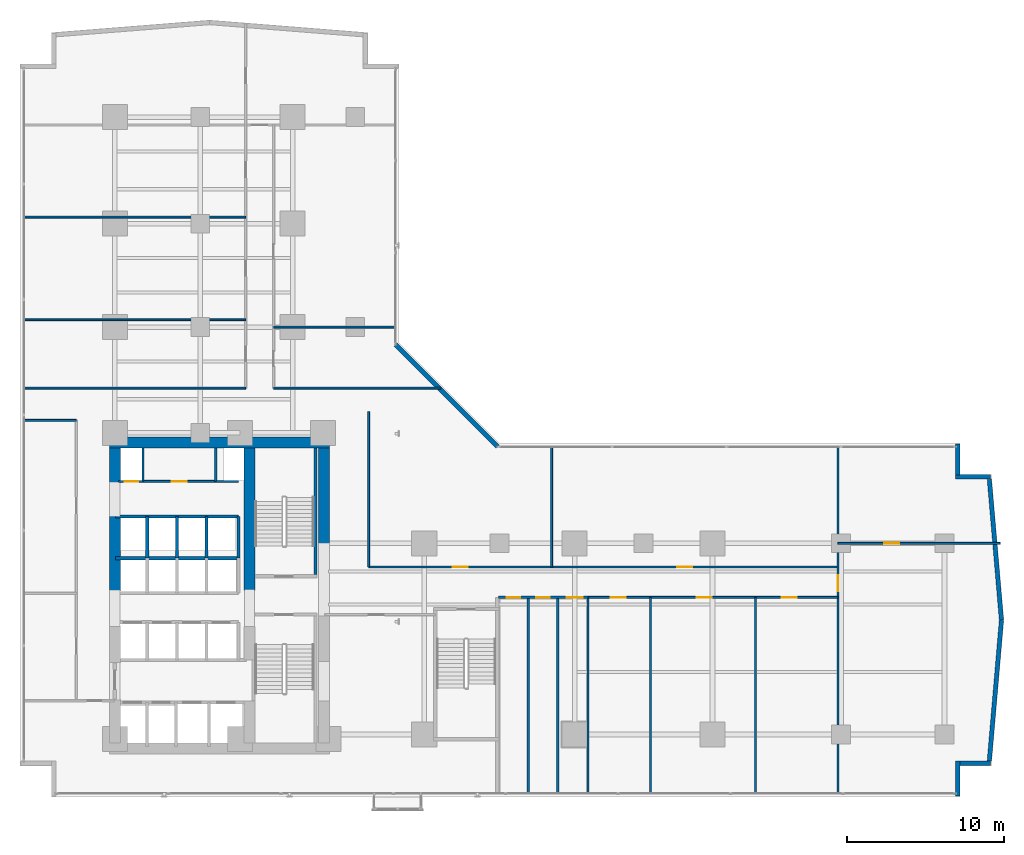
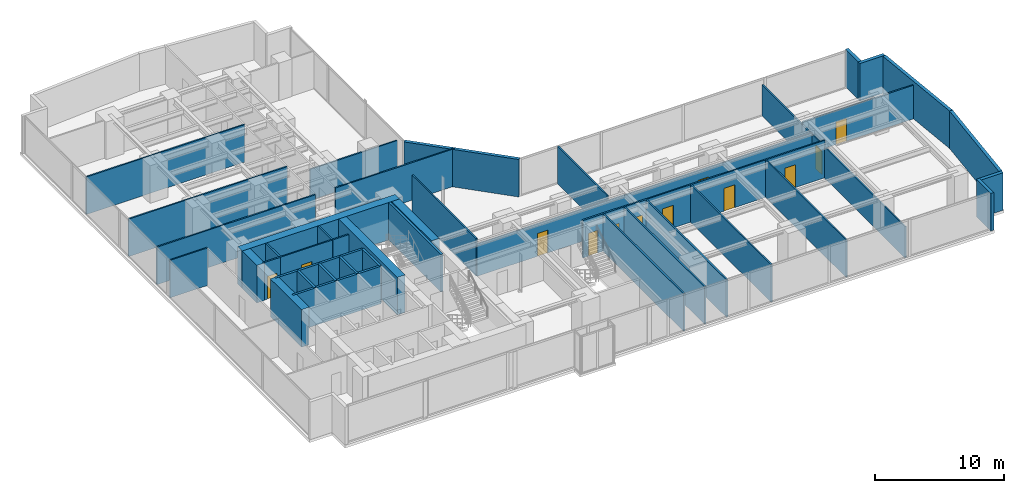
# One storey, part 23 of 27: 42 walls, 12 doors, 12 openings.
"""IFC4 building model written with IfcOpenShell, lengths in metres."""

from ifc_helpers import new_model, si_unit, direction, frame, frame_2d, origin, place, context, subcontext, project, spatial, rectangle, extrude, material, layer, layer_set, type_object, element, fill, save


model = new_model("IFC4")

# Units and contexts
model_context = context("Model", 3, precision=1e-05, world=origin(), true_north=direction((0.0, 1.0)))
body_context = subcontext(model_context, "Body", "Model", "MODEL_VIEW")
ifc_project = project(units=[si_unit("LENGTHUNIT", "METRE"), si_unit("AREAUNIT", "SQUARE_METRE"), si_unit("VOLUMEUNIT", "CUBIC_METRE"), si_unit("PLANEANGLEUNIT", "RADIAN"), si_unit("MASSUNIT", "GRAM", prefix="KILO")], contexts=[model_context])

# Site, building, storey
site_placement = place(None, origin())
site = spatial("IfcSite", under=ifc_project, at=site_placement, CompositionType="ELEMENT")
building_placement = place(site_placement, origin())
building = spatial("IfcBuilding", under=site, at=building_placement, Name="Kolvaren Waterfront Exchange", CompositionType="ELEMENT")
storey_placement = place(building_placement, frame((0.0, 0.0, 60.0)))
storey = spatial("IfcBuildingStorey", under=building, at=storey_placement, Name="L15", CompositionType="ELEMENT", Elevation=60.0)

# Walls
ifc_material_1 = material(Name="Precast concrete C40/50", Category="concrete")
ifc_layer_1 = layer(ifc_material_1, 0.280029296875, Name="Precast concrete C40/50")
ifc_layer_set_1 = layer_set([ifc_layer_1], Name="Precast concrete C40/50")
wall_type_1 = type_object("IfcWallType", Name="ARC-EXT-TERR-280", PredefinedType="SOLIDWALL", material=ifc_layer_set_1)
wall_1_placement = place(storey_placement, frame((61.239990234375, 1.260009765625, 0.0), z_axis=(0.0, 0.0, 1.0), x_axis=(0.0, 1.0, 0.0)))
element("IfcWall", 1, at=wall_1_placement, inside=storey, type_object=wall_type_1, Name="L15 notched corner spandrel pier SE-A", PredefinedType="SOLIDWALL", context=body_context, shape_type="SweptSolid", body=[
    extrude(rectangle(XDim=2.239990234375, YDim=0.280029296875, at=frame_2d((1.1201171875, 0.0))), origin(), (0.0, 0.0, 1.0), 3.5400390625),
])
wall_2_placement = place(storey_placement, frame((61.3798828125, 3.360107421875, 0.0), z_axis=(0.0, 0.0, 1.0), x_axis=(1.0, 0.0, 0.0)))
element("IfcWall", 2, at=wall_2_placement, inside=storey, type_object=wall_type_1, Name="L15 notched corner spandrel pier SE-B", PredefinedType="SOLIDWALL", context=body_context, shape_type="SweptSolid", body=[
    extrude(rectangle(XDim=1.960205078125, YDim=0.280029296875, at=frame_2d((0.97998046875, 0.0))), origin(), (0.0, 0.0, 1.0), 3.5400390625),
])
wall_3_placement = place(storey_placement, frame((61.239990234375, 21.764892578125, 0.0), z_axis=(0.0, 0.0, 1.0), x_axis=(0.0, 1.0, 0.0)))
element("IfcWall", 3, at=wall_3_placement, inside=storey, type_object=wall_type_1, Name="L15 notched corner spandrel pier ENE-A", PredefinedType="SOLIDWALL", context=body_context, shape_type="SweptSolid", body=[
    extrude(rectangle(XDim=1.97509765625, YDim=0.280029296875, at=frame_2d((0.987548828125, 0.0))), origin(), (0.0, 0.0, 1.0), 3.5400390625),
])
wall_4_placement = place(storey_placement, frame((61.10009765625, 21.639892578125, 0.0), z_axis=(0.0, 0.0, 1.0), x_axis=(1.0, 0.0, 0.0)))
element("IfcWall", 4, at=wall_4_placement, inside=storey, type_object=wall_type_1, Name="L15 notched corner spandrel pier ENE-B", PredefinedType="SOLIDWALL", context=body_context, shape_type="SweptSolid", body=[
    extrude(rectangle(XDim=2.239990234375, YDim=0.280029296875, at=frame_2d((1.1201171875, 0.0))), origin(), (0.0, 0.0, 1.0), 3.5400390625),
])
wall_5_placement = place(storey_placement, frame((31.885009765625, 23.574951171875, 0.0), z_axis=(0.0, 0.0, 1.0), x_axis=(-0.707106781187, 0.707106781187, 0.0)))
element("IfcWall", 5, at=wall_5_placement, inside=storey, type_object=wall_type_1, Name="L15 notched corner spandrel pier ELBOW", PredefinedType="SOLIDWALL", context=body_context, shape_type="SweptSolid", body=[
    extrude(rectangle(XDim=9.20654296875, YDim=0.280029296875, at=frame_2d((4.603271484375, 0.0))), origin(), (0.0, 0.0, 1.0), 3.5400390625),
])
for number, where, z_axis, x_axis, name in (
    (6, (63.266357421875, 3.5126953125, 0.0), (0.0, 0.0, 1.0), (0.085692274626, 0.996321651912, 0.0), "L15 east prow faceted facade wall 1"),
    (7, (64.038818359375, 12.506103515625, 0.0), (0.0, 0.0, 1.0), (-0.085692274626, 0.996321651912, 0.0), "L15 east prow faceted facade wall 2"),
):
    element("IfcWall", number, at=place(storey_placement, frame(where, z_axis=z_axis, x_axis=x_axis)), inside=storey, type_object=wall_type_1, Name=name, PredefinedType="SOLIDWALL", context=body_context, shape_type="SweptSolid", body=[
        extrude(rectangle(XDim=9.014404296875, YDim=0.280029296875, at=frame_2d((4.50732421875, 0.0))), origin(), (0.0, 0.0, 1.0), 3.5400390625),
    ])

# Wall, opening, door
ifc_material_2 = material(Name="Acoustic gypsum steel stud", Category="steel")
ifc_layer_2 = layer(ifc_material_2, 0.125, Name="Acoustic gypsum steel stud")
ifc_layer_set_2 = layer_set([ifc_layer_2], Name="Acoustic gypsum steel stud")
wall_type_2 = type_object("IfcWallType", Name="ARC-PART-125", PredefinedType="PARTITIONING", material=ifc_layer_set_2)
wall_6_placement = place(storey_placement, frame((9.25, 21.35009765625, 0.0), z_axis=(0.0, 0.0, 1.0), x_axis=(1.0, 0.0, 0.0)))
wall_6 = element("IfcWall", 8, at=wall_6_placement, inside=storey, type_object=wall_type_2, Name="L15 interior wall PW-L15-SVC-EX-S", PredefinedType="PARTITIONING", context=body_context, shape_type="SweptSolid", body=[
    extrude(rectangle(XDim=4.64990234375, YDim=0.125, at=frame_2d((2.324951171875, 0.0))), origin(), (0.0, 0.0, 1.0), 3.5400390625),
])
opening_1_placement = place(wall_6_placement, frame((1.85009765625, 0.0, 0.0)))
opening_1 = element("IfcOpeningElement", 9, at=opening_1_placement, cuts=wall_6, Name="Opening D02", PredefinedType="OPENING", context=body_context, shape_type="SweptSolid", body=[
    extrude(rectangle(XDim=0.949951171875, YDim=2.14990234375, at=frame_2d((0.47509765625, 1.074951171875))), frame((0.0, 0.072509765625, 0.0), z_axis=(0.0, -1.0, 0.0), x_axis=(1.0, 0.0, 0.0)), (0.0, 0.0, 1.0), 0.14501953125),
])
ifc_material_3 = material(Name="Oak veneer acoustic timber", Category="wood")
door_type_1 = type_object("IfcDoorType", Name="ARC-DR-950", OperationType="NOTDEFINED", PredefinedType="DOOR", material=ifc_material_3)
door_1_placement = place(opening_1_placement, origin())
door_1 = element("IfcDoor", 10, at=door_1_placement, inside=storey, type_object=door_type_1, Name="L15 door DR-L15-SVC-DR-1 (D02)", OperationType="SINGLE_SWING_RIGHT", OverallHeight=2.14990234375, OverallWidth=0.949951171875, PredefinedType="DOOR", context=body_context, shape_type="SweptSolid", body=[
    extrude(rectangle(XDim=0.949951171875, YDim=2.14990234375, at=frame_2d((0.47509765625, 1.074951171875))), frame((0.0, 0.02490234375, 0.0), z_axis=(0.0, -1.0, 0.0), x_axis=(1.0, 0.0, 0.0)), (0.0, 0.0, 1.0), 0.050048828125),
])
fill(opening_1, door_1)

# Wall
wall_7_placement = place(storey_placement, frame((1.639892578125, 25.25, 0.0), z_axis=(0.0, 0.0, 1.0), x_axis=(1.0, 0.0, 0.0)))
element("IfcWall", 11, at=wall_7_placement, inside=storey, type_object=wall_type_2, Name="L15 interior wall PW-L15-WFLANK-N", PredefinedType="PARTITIONING", context=body_context, shape_type="SweptSolid", body=[
    extrude(rectangle(XDim=3.360107421875, YDim=0.125, at=frame_2d((1.68017578125, 0.0))), origin(), (0.0, 0.0, 1.0), 3.5400390625),
])

# Wall, openings, doors
wall_8_placement = place(storey_placement, frame((37.64990234375, 13.949951171875, 0.0), z_axis=(0.0, 0.0, 1.0), x_axis=(1.0, 0.0, 0.0)))
wall_8 = element("IfcWall", 12, at=wall_8_placement, inside=storey, type_object=wall_type_2, Name="L15 interior wall PW-L15-ES-CORR", PredefinedType="PARTITIONING", context=body_context, shape_type="SweptSolid", body=[
    extrude(rectangle(XDim=15.9501953125, YDim=0.125, at=frame_2d((7.97509765625, 0.0))), origin(), (0.0, 0.0, 1.0), 3.5400390625),
])
opening_2_placement = place(wall_8_placement, frame((1.4453125, 0.0, 0.0)))
opening_2 = element("IfcOpeningElement", 13, at=opening_2_placement, cuts=wall_8, Name="Opening D02", PredefinedType="OPENING", context=body_context, shape_type="SweptSolid", body=[
    extrude(rectangle(XDim=0.949951171875, YDim=2.14990234375, at=frame_2d((0.47509765625, 1.074951171875))), frame((0.0, 0.072509765625, 0.0), z_axis=(0.0, -1.0, 0.0), x_axis=(1.0, 0.0, 0.0)), (0.0, 0.0, 1.0), 0.14501953125),
])
opening_3_placement = place(wall_8_placement, frame((6.935791015625, 0.0, 0.0)))
opening_3 = element("IfcOpeningElement", 14, at=opening_3_placement, cuts=wall_8, Name="Opening D02", PredefinedType="OPENING", context=body_context, shape_type="SweptSolid", body=[
    extrude(rectangle(XDim=0.949951171875, YDim=2.14990234375, at=frame_2d((0.47509765625, 1.074951171875))), frame((0.0, 0.072509765625, 0.0), z_axis=(0.0, -1.0, 0.0), x_axis=(1.0, 0.0, 0.0)), (0.0, 0.0, 1.0), 0.14501953125),
])
opening_4_placement = place(wall_8_placement, frame((12.3701171875, 0.0, 0.0)))
opening_4 = element("IfcOpeningElement", 15, at=opening_4_placement, cuts=wall_8, Name="Opening D02", PredefinedType="OPENING", context=body_context, shape_type="SweptSolid", body=[
    extrude(rectangle(XDim=0.949951171875, YDim=2.14990234375, at=frame_2d((0.47509765625, 1.074951171875))), frame((0.0, 0.072509765625, 0.0), z_axis=(0.0, -1.0, 0.0), x_axis=(1.0, 0.0, 0.0)), (0.0, 0.0, 1.0), 0.14501953125),
])
door_2_placement = place(opening_2_placement, origin())
door_2 = element("IfcDoor", 16, at=door_2_placement, inside=storey, type_object=door_type_1, Name="L15 door DR-L15-ES-D-1 (D02)", OperationType="SINGLE_SWING_RIGHT", OverallHeight=2.14990234375, OverallWidth=0.949951171875, PredefinedType="DOOR", context=body_context, shape_type="SweptSolid", body=[
    extrude(rectangle(XDim=0.949951171875, YDim=2.14990234375, at=frame_2d((0.47509765625, 1.074951171875))), frame((0.0, 0.02490234375, 0.0), z_axis=(0.0, -1.0, 0.0), x_axis=(1.0, 0.0, 0.0)), (0.0, 0.0, 1.0), 0.050048828125),
])
fill(opening_2, door_2)
door_3_placement = place(opening_3_placement, origin())
door_3 = element("IfcDoor", 17, at=door_3_placement, inside=storey, type_object=door_type_1, Name="L15 door DR-L15-ES-D-2 (D02)", OperationType="SINGLE_SWING_LEFT", OverallHeight=2.14990234375, OverallWidth=0.949951171875, PredefinedType="DOOR", context=body_context, shape_type="SweptSolid", body=[
    extrude(rectangle(XDim=0.949951171875, YDim=2.14990234375, at=frame_2d((0.47509765625, 1.074951171875))), frame((0.0, 0.02490234375, 0.0), z_axis=(0.0, -1.0, 0.0), x_axis=(1.0, 0.0, 0.0)), (0.0, 0.0, 1.0), 0.050048828125),
])
fill(opening_3, door_3)
door_4_placement = place(opening_4_placement, origin())
door_4 = element("IfcDoor", 18, at=door_4_placement, inside=storey, type_object=door_type_1, Name="L15 door DR-L15-ES-D-3 (D02)", OperationType="SINGLE_SWING_RIGHT", OverallHeight=2.14990234375, OverallWidth=0.949951171875, PredefinedType="DOOR", context=body_context, shape_type="SweptSolid", body=[
    extrude(rectangle(XDim=0.949951171875, YDim=2.14990234375, at=frame_2d((0.47509765625, 1.074951171875))), frame((0.0, 0.02490234375, 0.0), z_axis=(0.0, -1.0, 0.0), x_axis=(1.0, 0.0, 0.0)), (0.0, 0.0, 1.0), 0.050048828125),
])
fill(opening_4, door_4)

# Walls
for number, where, z_axis, x_axis, name in (
    (19, (41.639892578125, 1.43994140625, 0.0), (0.0, 0.0, 1.0), (0.0, 1.0, 0.0), "L15 interior wall PW-L15-ES-DIV-1"),
    (20, (48.340087890625, 1.43994140625, 0.0), (0.0, 0.0, 1.0), (0.0, 1.0, 0.0), "L15 interior wall PW-L15-ES-DIV-2"),
):
    element("IfcWall", number, at=place(storey_placement, frame(where, z_axis=z_axis, x_axis=x_axis)), inside=storey, type_object=wall_type_2, Name=name, PredefinedType="PARTITIONING", context=body_context, shape_type="SweptSolid", body=[
        extrude(rectangle(XDim=12.510009765625, YDim=0.125, at=frame_2d((6.2548828125, 0.0))), origin(), (0.0, 0.0, 1.0), 3.5400390625),
    ])

# Wall, opening, door
wall_9_placement = place(storey_placement, frame((53.60009765625, 1.43994140625, 0.0), z_axis=(0.0, 0.0, 1.0), x_axis=(0.0, 1.0, 0.0)))
wall_9 = element("IfcWall", 21, at=wall_9_placement, inside=storey, type_object=wall_type_2, Name="L15 interior wall PW-L15-ETIP-W", PredefinedType="PARTITIONING", context=body_context, shape_type="SweptSolid", body=[
    extrude(rectangle(XDim=22.1201171875, YDim=0.125, at=frame_2d((11.06005859375, 0.0))), origin(), (0.0, 0.0, 1.0), 2.93994140625),
])
opening_5_placement = place(wall_9_placement, frame((12.909912109375, 0.0, 0.0)))
opening_5 = element("IfcOpeningElement", 22, at=opening_5_placement, cuts=wall_9, Name="Opening D03", PredefinedType="OPENING", context=body_context, shape_type="SweptSolid", body=[
    extrude(rectangle(XDim=1.0, YDim=2.199951171875, at=frame_2d((0.5, 1.10009765625))), frame((0.0, 0.072509765625, 0.0), z_axis=(0.0, -1.0, 0.0), x_axis=(1.0, 0.0, 0.0)), (0.0, 0.0, 1.0), 0.14501953125),
])
ifc_material_4 = material(Name="Oak veneer accessible timber", Category="wood")
door_type_2 = type_object("IfcDoorType", Name="ARC-DR-1000", OperationType="NOTDEFINED", PredefinedType="DOOR", material=ifc_material_4)
door_5_placement = place(opening_5_placement, origin())
door_5 = element("IfcDoor", 23, at=door_5_placement, inside=storey, type_object=door_type_2, Name="L15 door DR-L15-ETIP1-D (D03)", OperationType="SINGLE_SWING_LEFT", OverallHeight=2.199951171875, OverallWidth=1.0, PredefinedType="DOOR", context=body_context, shape_type="SweptSolid", body=[
    extrude(rectangle(XDim=1.0, YDim=2.199951171875, at=frame_2d((0.5, 1.10009765625))), frame((0.0, 0.02490234375, 0.0), z_axis=(0.0, -1.0, 0.0), x_axis=(1.0, 0.0, 0.0)), (0.0, 0.0, 1.0), 0.050048828125),
])
fill(opening_5, door_5)

wall_10_placement = place(storey_placement, frame((53.60009765625, 17.39990234375, 0.0), z_axis=(0.0, 0.0, 1.0), x_axis=(1.0, 0.0, 0.0)))
wall_10 = element("IfcWall", 24, at=wall_10_placement, inside=storey, type_object=wall_type_2, Name="L15 interior wall PW-L15-ETIP-MID", PredefinedType="PARTITIONING", context=body_context, shape_type="SweptSolid", body=[
    extrude(rectangle(XDim=10.35986328125, YDim=0.125, at=frame_2d((5.179931640625, 0.0))), origin(), (0.0, 0.0, 1.0), 3.179931640625),
])
opening_6_placement = place(wall_10_placement, frame((2.949951171875, 0.0, 0.0)))
opening_6 = element("IfcOpeningElement", 25, at=opening_6_placement, cuts=wall_10, Name="Opening D02", PredefinedType="OPENING", context=body_context, shape_type="SweptSolid", body=[
    extrude(rectangle(XDim=0.949951171875, YDim=2.14990234375, at=frame_2d((0.47509765625, 1.074951171875))), frame((0.0, 0.072509765625, 0.0), z_axis=(0.0, -1.0, 0.0), x_axis=(1.0, 0.0, 0.0)), (0.0, 0.0, 1.0), 0.14501953125),
])
door_6_placement = place(opening_6_placement, origin())
door_6 = element("IfcDoor", 26, at=door_6_placement, inside=storey, type_object=door_type_1, Name="L15 door DR-L15-ETIP2-D (D02)", OperationType="SINGLE_SWING_RIGHT", OverallHeight=2.14990234375, OverallWidth=0.949951171875, PredefinedType="DOOR", context=body_context, shape_type="SweptSolid", body=[
    extrude(rectangle(XDim=0.949951171875, YDim=2.14990234375, at=frame_2d((0.47509765625, 1.074951171875))), frame((0.0, 0.02490234375, 0.0), z_axis=(0.0, -1.0, 0.0), x_axis=(1.0, 0.0, 0.0)), (0.0, 0.0, 1.0), 0.050048828125),
])
fill(opening_6, door_6)

# Wall
wall_11_placement = place(storey_placement, frame((23.64990234375, 15.889892578125, 0.0), z_axis=(0.0, 0.0, 1.0), x_axis=(0.0, 1.0, 0.0)))
element("IfcWall", 27, at=wall_11_placement, inside=storey, type_object=wall_type_2, Name="L15 interior wall PW-L15-EN-W0", PredefinedType="PARTITIONING", context=body_context, shape_type="SweptSolid", body=[
    extrude(rectangle(XDim=9.91015625, YDim=0.125, at=frame_2d((4.955078125, 0.0))), origin(), (0.0, 0.0, 1.0), 3.5400390625),
])

# Wall, openings, doors
wall_12_placement = place(storey_placement, frame((23.64990234375, 15.889892578125, 0.0), z_axis=(0.0, 0.0, 1.0), x_axis=(1.0, 0.0, 0.0)))
wall_12 = element("IfcWall", 28, at=wall_12_placement, inside=storey, type_object=wall_type_2, Name="L15 interior wall PW-L15-EN-CORR", PredefinedType="PARTITIONING", context=body_context, shape_type="SweptSolid", body=[
    extrude(rectangle(XDim=29.9501953125, YDim=0.125, at=frame_2d((14.97509765625, 0.0))), origin(), (0.0, 0.0, 1.0), 3.0400390625),
])
opening_7_placement = place(wall_12_placement, frame((5.364990234375, 0.0, 0.0)))
opening_7 = element("IfcOpeningElement", 29, at=opening_7_placement, cuts=wall_12, Name="Opening D02", PredefinedType="OPENING", context=body_context, shape_type="SweptSolid", body=[
    extrude(rectangle(XDim=0.949951171875, YDim=2.14990234375, at=frame_2d((0.47509765625, 1.074951171875))), frame((0.0, 0.072509765625, 0.0), z_axis=(0.0, -1.0, 0.0), x_axis=(1.0, 0.0, 0.0)), (0.0, 0.0, 1.0), 0.14501953125),
])
opening_8_placement = place(wall_12_placement, frame((19.70458984375, 0.0, 0.0)))
opening_8 = element("IfcOpeningElement", 30, at=opening_8_placement, cuts=wall_12, Name="Opening D02", PredefinedType="OPENING", context=body_context, shape_type="SweptSolid", body=[
    extrude(rectangle(XDim=0.949951171875, YDim=2.14990234375, at=frame_2d((0.47509765625, 1.074951171875))), frame((0.0, 0.072509765625, 0.0), z_axis=(0.0, -1.0, 0.0), x_axis=(1.0, 0.0, 0.0)), (0.0, 0.0, 1.0), 0.14501953125),
])
door_7_placement = place(opening_7_placement, origin())
door_7 = element("IfcDoor", 31, at=door_7_placement, inside=storey, type_object=door_type_1, Name="L15 door DR-L15-EN-D-1 (D02)", OperationType="SINGLE_SWING_LEFT", OverallHeight=2.14990234375, OverallWidth=0.949951171875, PredefinedType="DOOR", context=body_context, shape_type="SweptSolid", body=[
    extrude(rectangle(XDim=0.949951171875, YDim=2.14990234375, at=frame_2d((0.47509765625, 1.074951171875))), frame((0.0, 0.02490234375, 0.0), z_axis=(0.0, -1.0, 0.0), x_axis=(1.0, 0.0, 0.0)), (0.0, 0.0, 1.0), 0.050048828125),
])
fill(opening_7, door_7)
door_8_placement = place(opening_8_placement, origin())
door_8 = element("IfcDoor", 32, at=door_8_placement, inside=storey, type_object=door_type_1, Name="L15 door DR-L15-EN-D-2 (D02)", OperationType="SINGLE_SWING_RIGHT", OverallHeight=2.14990234375, OverallWidth=0.949951171875, PredefinedType="DOOR", context=body_context, shape_type="SweptSolid", body=[
    extrude(rectangle(XDim=0.949951171875, YDim=2.14990234375, at=frame_2d((0.47509765625, 1.074951171875))), frame((0.0, 0.02490234375, 0.0), z_axis=(0.0, -1.0, 0.0), x_axis=(1.0, 0.0, 0.0)), (0.0, 0.0, 1.0), 0.050048828125),
])
fill(opening_8, door_8)

# Walls
wall_13_placement = place(storey_placement, frame((35.330078125, 15.889892578125, 0.0), z_axis=(0.0, 0.0, 1.0), x_axis=(0.0, 1.0, 0.0)))
element("IfcWall", 33, at=wall_13_placement, inside=storey, type_object=wall_type_2, Name="L15 interior wall PW-L15-EN-DIV-1", PredefinedType="PARTITIONING", context=body_context, shape_type="SweptSolid", body=[
    extrude(rectangle(XDim=7.670166015625, YDim=0.125, at=frame_2d((3.8349609375, 0.0))), origin(), (0.0, 0.0, 1.0), 3.5400390625),
])
for number, where, z_axis, x_axis, name in (
    (34, (1.639892578125, 27.300048828125, 0.0), (0.0, 0.0, 1.0), (1.0, 0.0, 0.0), "L15 interior wall PW-L15-NW-S0"),
    (35, (1.639892578125, 31.669921875, 0.0), (0.0, 0.0, 1.0), (1.0, 0.0, 0.0), "L15 interior wall PW-L15-NW-DIV-1"),
    (36, (1.639892578125, 38.219970703125, 0.0), (0.0, 0.0, 1.0), (1.0, 0.0, 0.0), "L15 interior wall PW-L15-NW-DIV-2"),
):
    element("IfcWall", number, at=place(storey_placement, frame(where, z_axis=z_axis, x_axis=x_axis)), inside=storey, type_object=wall_type_2, Name=name, PredefinedType="PARTITIONING", context=body_context, shape_type="SweptSolid", body=[
        extrude(rectangle(XDim=14.16015625, YDim=0.125, at=frame_2d((7.080078125, 0.0))), origin(), (0.0, 0.0, 1.0), 3.5400390625),
    ])
wall_14_placement = place(storey_placement, frame((17.580078125, 27.300048828125, 0.0), z_axis=(0.0, 0.0, 1.0), x_axis=(1.0, 0.0, 0.0)))
element("IfcWall", 37, at=wall_14_placement, inside=storey, type_object=wall_type_2, Name="L15 interior wall PW-L15-NE-S0", PredefinedType="PARTITIONING", context=body_context, shape_type="SweptSolid", body=[
    extrude(rectangle(XDim=10.679931640625, YDim=0.125, at=frame_2d((5.33984375, 0.0))), origin(), (0.0, 0.0, 1.0), 3.5400390625),
])
wall_15_placement = place(storey_placement, frame((17.580078125, 31.199951171875, 0.0), z_axis=(0.0, 0.0, 1.0), x_axis=(1.0, 0.0, 0.0)))
element("IfcWall", 38, at=wall_15_placement, inside=storey, type_object=wall_type_2, Name="L15 interior wall PW-L15-NE-DIV-1", PredefinedType="PARTITIONING", context=body_context, shape_type="SweptSolid", body=[
    extrude(rectangle(XDim=7.780029296875, YDim=0.125, at=frame_2d((3.89013671875, 0.0))), origin(), (0.0, 0.0, 1.0), 2.93994140625),
])
ifc_material_5 = material(Name="Gypsum fireboard steel stud", Category="steel")
ifc_layer_3 = layer(ifc_material_5, 0.14990234375, Name="Gypsum fireboard steel stud")
ifc_layer_set_3 = layer_set([ifc_layer_3], Name="Gypsum fireboard steel stud")
wall_type_3 = type_object("IfcWallType", Name="ARC-PART-150", PredefinedType="PARTITIONING", material=ifc_layer_set_3)
for number, where, z_axis, x_axis, name in (
    (39, (9.25, 21.35009765625, 0.0), (0.0, 0.0, 1.0), (0.0, 1.0, 0.0), "L15 interior wall PW-L15-SVC-R1"),
    (40, (13.89990234375, 21.35009765625, 0.0), (0.0, 0.0, 1.0), (0.0, 1.0, 0.0), "L15 interior wall PW-L15-SVC-R2"),
):
    element("IfcWall", number, at=place(storey_placement, frame(where, z_axis=z_axis, x_axis=x_axis)), inside=storey, type_object=wall_type_3, Name=name, PredefinedType="PARTITIONING", context=body_context, shape_type="SweptSolid", body=[
        extrude(rectangle(XDim=2.1298828125, YDim=0.14990234375, at=frame_2d((1.06494140625, 0.0))), origin(), (0.0, 0.0, 1.0), 3.5400390625),
    ])

# Wall, opening, door
wall_16_placement = place(storey_placement, frame((7.699951171875, 21.35009765625, 0.0), z_axis=(0.0, 0.0, 1.0), x_axis=(1.0, 0.0, 0.0)))
wall_16 = element("IfcWall", 41, at=wall_16_placement, inside=storey, type_object=wall_type_3, Name="L15 interior wall PW-L15-SVC-RE-S", PredefinedType="PARTITIONING", context=body_context, shape_type="SweptSolid", body=[
    extrude(rectangle(XDim=1.550048828125, YDim=0.14990234375, at=frame_2d((0.77490234375, 0.0))), origin(), (0.0, 0.0, 1.0), 3.5400390625),
])
opening_9_placement = place(wall_16_placement, frame((0.389892578125, 0.0, 0.0)))
opening_9 = element("IfcOpeningElement", 42, at=opening_9_placement, cuts=wall_16, Name="Opening FD1", PredefinedType="OPENING", context=body_context, shape_type="SweptSolid", body=[
    extrude(rectangle(XDim=0.85009765625, YDim=2.14990234375, at=frame_2d((0.425048828125, 1.074951171875))), frame((0.0, 0.0849609375, 0.0), z_axis=(0.0, -1.0, 0.0), x_axis=(1.0, 0.0, 0.0)), (0.0, 0.0, 1.0), 0.169921875),
])
ifc_material_6 = material(Name="Pressed steel fire leaf", Category="steel")
door_type_3 = type_object("IfcDoorType", Name="ARC-FD-900", OperationType="NOTDEFINED", PredefinedType="DOOR", material=ifc_material_6)
door_9_placement = place(opening_9_placement, origin())
door_9 = element("IfcDoor", 43, at=door_9_placement, inside=storey, type_object=door_type_3, Name="L15 door DR-L15-RISER-E-DR (FD1)", OperationType="SINGLE_SWING_LEFT", OverallHeight=2.14990234375, OverallWidth=0.85009765625, PredefinedType="DOOR", context=body_context, shape_type="SweptSolid", body=[
    extrude(rectangle(XDim=0.85009765625, YDim=2.14990234375, at=frame_2d((0.425048828125, 1.074951171875))), frame((0.0, 0.02490234375, 0.0), z_axis=(0.0, -1.0, 0.0), x_axis=(1.0, 0.0, 0.0)), (0.0, 0.0, 1.0), 0.050048828125),
])
fill(opening_9, door_9)

# Wall
wall_17_placement = place(storey_placement, frame((13.89990234375, 21.35009765625, 0.0), z_axis=(0.0, 0.0, 1.0), x_axis=(1.0, 0.0, 0.0)))
element("IfcWall", 44, at=wall_17_placement, inside=storey, type_object=wall_type_3, Name="L15 interior wall PW-L15-SVC-RP-S", PredefinedType="PARTITIONING", context=body_context, shape_type="SweptSolid", body=[
    extrude(rectangle(XDim=1.4501953125, YDim=0.14990234375, at=frame_2d((0.72509765625, 0.0))), origin(), (0.0, 0.0, 1.0), 3.5400390625),
])

# Wall, openings, doors
ifc_material_7 = material(Name="Moisture-resistant gypsum stud")
ifc_layer_4 = layer(ifc_material_7, 0.14990234375, Name="Moisture-resistant gypsum stud")
ifc_layer_set_4 = layer_set([ifc_layer_4], Name="Moisture-resistant gypsum stud")
wall_type_4 = type_object("IfcWallType", Name="ARC-PLUMB-150", PredefinedType="PLUMBINGWALL", material=ifc_layer_set_4)
wall_18_placement = place(storey_placement, frame((31.949951171875, 13.949951171875, 0.0), z_axis=(0.0, 0.0, 1.0), x_axis=(1.0, 0.0, 0.0)))
wall_18 = element("IfcWall", 45, at=wall_18_placement, inside=storey, type_object=wall_type_4, Name="L15 interior wall PW-L15-WC-N", PredefinedType="PLUMBINGWALL", context=body_context, shape_type="SweptSolid", body=[
    extrude(rectangle(XDim=5.699951171875, YDim=0.14990234375, at=frame_2d((2.85009765625, 0.0))), origin(), (0.0, 0.0, 1.0), 3.5400390625),
])
opening_10_placement = place(wall_18_placement, frame((0.514892578125, 0.0, 0.0)))
opening_10 = element("IfcOpeningElement", 46, at=opening_10_placement, cuts=wall_18, Name="Opening D01", PredefinedType="OPENING", context=body_context, shape_type="SweptSolid", body=[
    extrude(rectangle(XDim=0.85009765625, YDim=2.14990234375, at=frame_2d((0.425048828125, 1.074951171875))), frame((0.0, 0.0849609375, 0.0), z_axis=(0.0, -1.0, 0.0), x_axis=(1.0, 0.0, 0.0)), (0.0, 0.0, 1.0), 0.169921875),
])
opening_11_placement = place(wall_18_placement, frame((2.39501953125, 0.0, 0.0)))
opening_11 = element("IfcOpeningElement", 47, at=opening_11_placement, cuts=wall_18, Name="Opening D01", PredefinedType="OPENING", context=body_context, shape_type="SweptSolid", body=[
    extrude(rectangle(XDim=0.85009765625, YDim=2.14990234375, at=frame_2d((0.425048828125, 1.074951171875))), frame((0.0, 0.0849609375, 0.0), z_axis=(0.0, -1.0, 0.0), x_axis=(1.0, 0.0, 0.0)), (0.0, 0.0, 1.0), 0.169921875),
])
opening_12_placement = place(wall_18_placement, frame((4.35009765625, 0.0, 0.0)))
opening_12 = element("IfcOpeningElement", 48, at=opening_12_placement, cuts=wall_18, Name="Opening D03", PredefinedType="OPENING", context=body_context, shape_type="SweptSolid", body=[
    extrude(rectangle(XDim=1.0, YDim=2.199951171875, at=frame_2d((0.5, 1.10009765625))), frame((0.0, 0.0849609375, 0.0), z_axis=(0.0, -1.0, 0.0), x_axis=(1.0, 0.0, 0.0)), (0.0, 0.0, 1.0), 0.169921875),
])
door_10_placement = place(opening_12_placement, origin())
door_10 = element("IfcDoor", 49, at=door_10_placement, inside=storey, type_object=door_type_2, Name="L15 door DR-L15-WCA-D (D03)", OperationType="SINGLE_SWING_LEFT", OverallHeight=2.199951171875, OverallWidth=1.0, PredefinedType="DOOR", context=body_context, shape_type="SweptSolid", body=[
    extrude(rectangle(XDim=1.0, YDim=2.199951171875, at=frame_2d((0.5, 1.10009765625))), frame((0.0, 0.02490234375, 0.0), z_axis=(0.0, -1.0, 0.0), x_axis=(1.0, 0.0, 0.0)), (0.0, 0.0, 1.0), 0.050048828125),
])
fill(opening_12, door_10)
ifc_material_8 = material(Name="Oak veneer timber leaf", Category="wood")
door_type_4 = type_object("IfcDoorType", Name="ARC-DR-900", OperationType="NOTDEFINED", PredefinedType="DOOR", material=ifc_material_8)
door_11_placement = place(opening_10_placement, origin())
door_11 = element("IfcDoor", 50, at=door_11_placement, inside=storey, type_object=door_type_4, Name="L15 door DR-L15-WCM-D (D01)", OperationType="SINGLE_SWING_LEFT", OverallHeight=2.14990234375, OverallWidth=0.85009765625, PredefinedType="DOOR", context=body_context, shape_type="SweptSolid", body=[
    extrude(rectangle(XDim=0.85009765625, YDim=2.14990234375, at=frame_2d((0.425048828125, 1.074951171875))), frame((0.0, 0.02490234375, 0.0), z_axis=(0.0, -1.0, 0.0), x_axis=(1.0, 0.0, 0.0)), (0.0, 0.0, 1.0), 0.050048828125),
])
fill(opening_10, door_11)
door_12_placement = place(opening_11_placement, origin())
door_12 = element("IfcDoor", 51, at=door_12_placement, inside=storey, type_object=door_type_4, Name="L15 door DR-L15-WCF-D (D01)", OperationType="SINGLE_SWING_RIGHT", OverallHeight=2.14990234375, OverallWidth=0.85009765625, PredefinedType="DOOR", context=body_context, shape_type="SweptSolid", body=[
    extrude(rectangle(XDim=0.85009765625, YDim=2.14990234375, at=frame_2d((0.425048828125, 1.074951171875))), frame((0.0, 0.02490234375, 0.0), z_axis=(0.0, -1.0, 0.0), x_axis=(1.0, 0.0, 0.0)), (0.0, 0.0, 1.0), 0.050048828125),
])
fill(opening_11, door_12)

# Walls
for number, where, z_axis, x_axis, name in (
    (52, (33.830078125, 1.43994140625, 0.0), (0.0, 0.0, 1.0), (0.0, 1.0, 0.0), "L15 interior wall PW-L15-WC-1"),
    (53, (35.7099609375, 1.43994140625, 0.0), (0.0, 0.0, 1.0), (0.0, 1.0, 0.0), "L15 interior wall PW-L15-WC-2"),
    (54, (37.64990234375, 1.43994140625, 0.0), (0.0, 0.0, 1.0), (0.0, 1.0, 0.0), "L15 interior wall PW-L15-WC-3"),
):
    element("IfcWall", number, at=place(storey_placement, frame(where, z_axis=z_axis, x_axis=x_axis)), inside=storey, type_object=wall_type_4, Name=name, PredefinedType="PLUMBINGWALL", context=body_context, shape_type="SweptSolid", body=[
        extrude(rectangle(XDim=12.510009765625, YDim=0.14990234375, at=frame_2d((6.2548828125, 0.0))), origin(), (0.0, 0.0, 1.0), 3.5400390625),
    ])
ifc_material_9 = material(Name="Concrete C40/50", Category="concrete")
ifc_layer_5 = layer(ifc_material_9, 0.199951171875, Name="Concrete C40/50")
ifc_layer_set_5 = layer_set([ifc_layer_5], Name="Concrete C40/50")
wall_type_5 = type_object("IfcWallType", Name="ARC-SHAFT-200", PredefinedType="PARTITIONING", material=ifc_layer_set_5)
wall_19_placement = place(storey_placement, frame((20.260009765625, 15.39990234375, 0.0), z_axis=(0.0, 0.0, 1.0), x_axis=(0.0, 1.0, 0.0)))
element("IfcWall", 55, at=wall_19_placement, inside=storey, type_object=wall_type_5, Name="L15 structural stairwell wall PW-L15-ST2-E", PredefinedType="SHEAR", context=body_context, shape_type="SweptSolid", body=[
    extrude(rectangle(XDim=8.090087890625, YDim=0.199951171875, at=frame_2d((4.044921875, 0.0))), origin(), (0.0, 0.0, 1.0), 3.5400390625),
])
for number, where, z_axis, x_axis, name in (
    (56, (7.5, 16.449951171875, 0.0), (0.0, 0.0, 1.0), (1.0, 0.0, 0.0), "L15 interior wall PW-L15-PM-N"),
    (57, (7.5, 19.1201171875, 0.0), (0.0, 0.0, 1.0), (1.0, 0.0, 0.0), "L15 interior wall PW-L15-PH-N"),
):
    element("IfcWall", number, at=place(storey_placement, frame(where, z_axis=z_axis, x_axis=x_axis)), inside=storey, type_object=wall_type_5, Name=name, PredefinedType="PARTITIONING", context=body_context, shape_type="SweptSolid", body=[
        extrude(rectangle(XDim=7.85009765625, YDim=0.199951171875, at=frame_2d((3.925048828125, 0.0))), origin(), (0.0, 0.0, 1.0), 3.5400390625),
    ])
for number, where, z_axis, x_axis, name in (
    (58, (15.35009765625, 16.449951171875, 0.0), (0.0, 0.0, 1.0), (0.0, 1.0, 0.0), "L15 interior wall PW-L15-PH-E"),
    (59, (9.52001953125, 16.449951171875, 0.0), (0.0, 0.0, 1.0), (0.0, 1.0, 0.0), "L15 interior wall PW-L15-SH4-DIV-95"),
    (60, (11.409912109375, 16.449951171875, 0.0), (0.0, 0.0, 1.0), (0.0, 1.0, 0.0), "L15 interior wall PW-L15-SH4-DIV-114"),
    (61, (13.300048828125, 16.449951171875, 0.0), (0.0, 0.0, 1.0), (0.0, 1.0, 0.0), "L15 interior wall PW-L15-SH4-DIV-133"),
):
    element("IfcWall", number, at=place(storey_placement, frame(where, z_axis=z_axis, x_axis=x_axis)), inside=storey, type_object=wall_type_5, Name=name, PredefinedType="PARTITIONING", context=body_context, shape_type="SweptSolid", body=[
        extrude(rectangle(XDim=2.670166015625, YDim=0.199951171875, at=frame_2d((1.3349609375, 0.0))), origin(), (0.0, 0.0, 1.0), 3.5400390625),
    ])
ifc_material_10 = material(Name="Concrete C70/85", Category="concrete")
ifc_layer_6 = layer(ifc_material_10, 0.699951171875, Name="Concrete C70/85")
ifc_layer_set_6 = layer_set([ifc_layer_6], Name="Concrete C70/85")
wall_type_6 = type_object("IfcWallType", Name="STR-CWALL-700", PredefinedType="SHEAR", material=ifc_layer_set_6)
wall_20_placement = place(storey_placement, frame((7.10009765625, 23.85009765625, 0.0), z_axis=(0.0, 0.0, 1.0), x_axis=(1.0, 0.0, 0.0)))
element("IfcWall", 62, at=wall_20_placement, inside=storey, type_object=wall_type_6, Name="L15 rear-core shear wall N", PredefinedType="SHEAR", context=body_context, shape_type="SweptSolid", body=[
    extrude(rectangle(XDim=14.0498046875, YDim=0.699951171875, at=frame_2d((7.02490234375, 0.0))), origin(), (0.0, 0.0, 1.0), 3.5400390625),
])
wall_21_placement = place(storey_placement, frame((7.449951171875, 14.35009765625, 0.0), z_axis=(0.0, 0.0, 1.0), x_axis=(0.0, 1.0, 0.0)))
element("IfcWall", 63, at=wall_21_placement, inside=storey, type_object=wall_type_6, Name="L15 rear-core shear wall W2B", PredefinedType="SHEAR", context=body_context, shape_type="SweptSolid", body=[
    extrude(rectangle(XDim=4.809814453125, YDim=0.699951171875, at=frame_2d((2.40478515625, 0.0))), origin(), (0.0, 0.0, 1.0), 3.5400390625),
])
wall_22_placement = place(storey_placement, frame((7.449951171875, 21.239990234375, 0.0), z_axis=(0.0, 0.0, 1.0), x_axis=(0.0, 1.0, 0.0)))
element("IfcWall", 64, at=wall_22_placement, inside=storey, type_object=wall_type_6, Name="L15 rear-core shear wall W3", PredefinedType="SHEAR", context=body_context, shape_type="SweptSolid", body=[
    extrude(rectangle(XDim=2.260009765625, YDim=0.699951171875, at=frame_2d((1.1298828125, 0.0))), origin(), (0.0, 0.0, 1.0), 3.5400390625),
])
wall_23_placement = place(storey_placement, frame((20.800048828125, 17.35009765625, 0.0), z_axis=(0.0, 0.0, 1.0), x_axis=(0.0, 1.0, 0.0)))
element("IfcWall", 65, at=wall_23_placement, inside=storey, type_object=wall_type_6, Name="L15 rear-core shear wall E3", PredefinedType="SHEAR", context=body_context, shape_type="SweptSolid", body=[
    extrude(rectangle(XDim=6.14990234375, YDim=0.699951171875, at=frame_2d((3.074951171875, 0.0))), origin(), (0.0, 0.0, 1.0), 3.5400390625),
])
wall_24_placement = place(storey_placement, frame((16.050048828125, 14.39990234375, 0.0), z_axis=(0.0, 0.0, 1.0), x_axis=(0.0, 1.0, 0.0)))
element("IfcWall", 66, at=wall_24_placement, inside=storey, type_object=wall_type_6, Name="L15 rear-core shear wall M3", PredefinedType="SHEAR", context=body_context, shape_type="SweptSolid", body=[
    extrude(rectangle(XDim=9.10009765625, YDim=0.699951171875, at=frame_2d((4.550048828125, 0.0))), origin(), (0.0, 0.0, 1.0), 3.5400390625),
])

save(model, "model.ifc")
